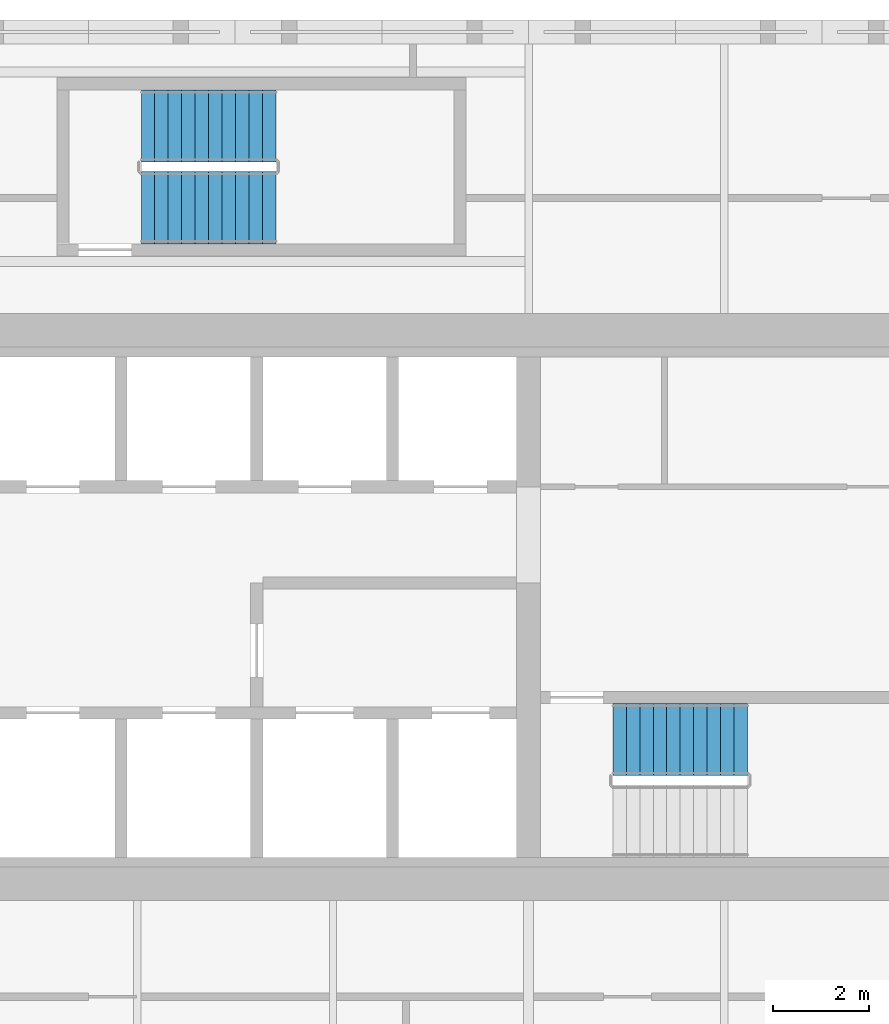
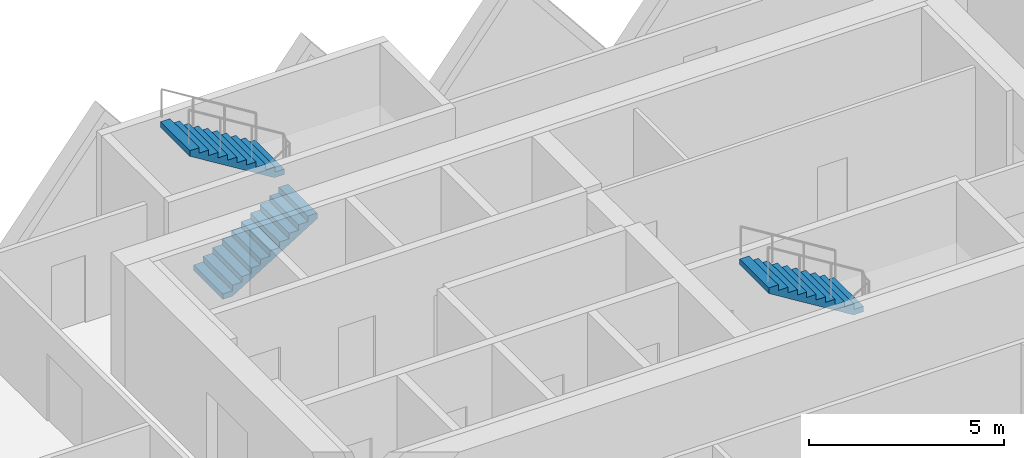
# One storey, part 17 of 20: 3 stair flights, 2 elements without a shape of their own.
"""IFC4 building model written with IfcOpenShell, lengths in metres."""

from ifc_helpers import new_model, si_unit, direction, frame, origin, place, context, subcontext, project, spatial, polyline, outline, extrude, material, type_object, element, aggregate, save


model = new_model("IFC4")

# Units and contexts
model_context = context("Model", 3, precision=1e-05, world=origin(), true_north=direction((0.0, 1.0)))
body_context = subcontext(model_context, "Body", "Model", "MODEL_VIEW")
ifc_project = project(units=[si_unit("LENGTHUNIT", "METRE"), si_unit("AREAUNIT", "SQUARE_METRE"), si_unit("VOLUMEUNIT", "CUBIC_METRE"), si_unit("PLANEANGLEUNIT", "RADIAN"), si_unit("MASSUNIT", "GRAM", prefix="KILO")], contexts=[model_context])

# Site, building, storey
site_placement = place(None, origin())
site = spatial("IfcSite", under=ifc_project, at=site_placement, CompositionType="ELEMENT")
building_placement = place(site_placement, origin())
building = spatial("IfcBuilding", under=site, at=building_placement, Name="Tessera Gate Towers", CompositionType="ELEMENT")
storey_placement = place(building_placement, frame((0.0, 0.0, 52.39990234375)))
storey = spatial("IfcBuildingStorey", under=building, at=storey_placement, Name="L12", CompositionType="ELEMENT", Elevation=52.39990234375)

# Stair, stair flight
ifc_material_1 = material(Name="Concrete C40/50", Category="concrete")
stair_type_1 = type_object("IfcStairType", Name="EXIT STAIR ST6 1500", PredefinedType="HALF_TURN_STAIR", material=ifc_material_1)
stair_1_placement = place(storey_placement, origin())
stair_1 = element("IfcStair", 1, at=stair_1_placement, inside=storey, type_object=stair_type_1, Name="L12 Protected Exit Stair ST6", PredefinedType="HALF_TURN_STAIR")
ifc_material_2 = material(Name="Concrete C40/50", Category="concrete")
stair_flight_type_1 = type_object("IfcStairFlightType", Name="EXIT STAIR FLIGHT ST6 1500", PredefinedType="STRAIGHT", material=ifc_material_2)
stair_flight_1_placement = place(storey_placement, frame((114.35009765625, 39.949951171875, 1.900146484375), z_axis=(0.0, 0.0, 1.0), x_axis=(-1.0, 0.0, 0.0)))
stair_flight_1 = element("IfcStairFlight", 2, at=stair_flight_1_placement, type_object=stair_flight_type_1, Name="ST6 flight 2", NumberOfRisers=11, NumberOfTreads=10, PredefinedType="STRAIGHT", RiserHeight=0.172727273, TreadLength=0.28, context=body_context, shape_type="SweptSolid", body=[
    extrude(outline(polyline([(0.0, 0.0), (0.0, 0.172607421875), (0.280029296875, 0.172607421875), (0.280029296875, 0.345458984375), (0.56005859375, 0.345458984375), (0.56005859375, 0.51806640625), (0.840087890625, 0.51806640625), (0.840087890625, 0.69091796875), (1.1201171875, 0.69091796875), (1.1201171875, 0.863525390625), (1.39990234375, 0.863525390625), (1.39990234375, 1.036376953125), (1.679931640625, 1.036376953125), (1.679931640625, 1.208984375), (1.9599609375, 1.208984375), (1.9599609375, 1.3818359375), (2.239990234375, 1.3818359375), (2.239990234375, 1.554443359375), (2.52001953125, 1.554443359375), (2.52001953125, 1.727294921875), (2.800048828125, 1.727294921875), (2.800048828125, 1.89990234375), (2.800048828125, 1.551025390625), (0.285400390625, 0.0), (0.0, 0.0)])), frame((0.0, 0.75, 0.0), z_axis=(0.0, -1.0, 0.0), x_axis=(1.0, 0.0, 0.0)), (0.0, 0.0, 1.0), 1.5),
])
aggregate(stair_1, [stair_flight_1])

# Stair, stair flights
ifc_material_3 = material(Name="Concrete C40/50", Category="concrete")
stair_type_2 = type_object("IfcStairType", Name="EXIT STAIR ST7 1500", PredefinedType="HALF_TURN_STAIR", material=ifc_material_3)
stair_2_placement = place(storey_placement, origin())
stair_2 = element("IfcStair", 3, at=stair_2_placement, inside=storey, type_object=stair_type_2, Name="L12 North Exit Stair ST7", PredefinedType="HALF_TURN_STAIR")
ifc_material_4 = material(Name="Concrete C40/50", Category="concrete")
stair_flight_type_2 = type_object("IfcStairFlightType", Name="EXIT STAIR FLIGHT ST7 1500", PredefinedType="STRAIGHT", material=ifc_material_4)
stair_flight_2_placement = place(storey_placement, frame((101.75, 51.0, 0.0), z_axis=(0.0, 0.0, 1.0), x_axis=(1.0, 0.0, 0.0)))
stair_flight_2 = element("IfcStairFlight", 4, at=stair_flight_2_placement, type_object=stair_flight_type_2, Name="ST7 flight 1", NumberOfRisers=11, NumberOfTreads=10, PredefinedType="STRAIGHT", RiserHeight=0.172727273, TreadLength=0.28, context=body_context, shape_type="SweptSolid", body=[
    extrude(outline(polyline([(0.0, 0.0), (0.0, 0.172607421875), (0.280029296875, 0.172607421875), (0.280029296875, 0.345458984375), (0.56005859375, 0.345458984375), (0.56005859375, 0.51806640625), (0.840087890625, 0.51806640625), (0.840087890625, 0.69091796875), (1.1201171875, 0.69091796875), (1.1201171875, 0.863525390625), (1.39990234375, 0.863525390625), (1.39990234375, 1.036376953125), (1.679931640625, 1.036376953125), (1.679931640625, 1.208984375), (1.9599609375, 1.208984375), (1.9599609375, 1.3818359375), (2.239990234375, 1.3818359375), (2.239990234375, 1.554443359375), (2.52001953125, 1.554443359375), (2.52001953125, 1.727294921875), (2.800048828125, 1.727294921875), (2.800048828125, 1.89990234375), (2.800048828125, 1.551025390625), (0.285400390625, 0.0), (0.0, 0.0)])), frame((0.0, 0.75, 0.0), z_axis=(0.0, -1.0, 0.0), x_axis=(1.0, 0.0, 0.0)), (0.0, 0.0, 1.0), 1.5),
])
stair_flight_3_placement = place(storey_placement, frame((104.550048828125, 52.699951171875, 1.900146484375), z_axis=(0.0, 0.0, 1.0), x_axis=(-1.0, 0.0, 0.0)))
stair_flight_3 = element("IfcStairFlight", 5, at=stair_flight_3_placement, type_object=stair_flight_type_2, Name="ST7 flight 2", NumberOfRisers=11, NumberOfTreads=10, PredefinedType="STRAIGHT", RiserHeight=0.172727273, TreadLength=0.28, context=body_context, shape_type="SweptSolid", body=[
    extrude(outline(polyline([(0.0, 0.0), (0.0, 0.172607421875), (0.280029296875, 0.172607421875), (0.280029296875, 0.345458984375), (0.56005859375, 0.345458984375), (0.56005859375, 0.51806640625), (0.840087890625, 0.51806640625), (0.840087890625, 0.69091796875), (1.1201171875, 0.69091796875), (1.1201171875, 0.863525390625), (1.39990234375, 0.863525390625), (1.39990234375, 1.036376953125), (1.679931640625, 1.036376953125), (1.679931640625, 1.208984375), (1.9599609375, 1.208984375), (1.9599609375, 1.3818359375), (2.239990234375, 1.3818359375), (2.239990234375, 1.554443359375), (2.52001953125, 1.554443359375), (2.52001953125, 1.727294921875), (2.800048828125, 1.727294921875), (2.800048828125, 1.89990234375), (2.800048828125, 1.551025390625), (0.285400390625, 0.0), (0.0, 0.0)])), frame((0.0, 0.75, 0.0), z_axis=(0.0, -1.0, 0.0), x_axis=(1.0, 0.0, 0.0)), (0.0, 0.0, 1.0), 1.5),
])
aggregate(stair_2, [stair_flight_2, stair_flight_3])

save(model, "model.ifc")
